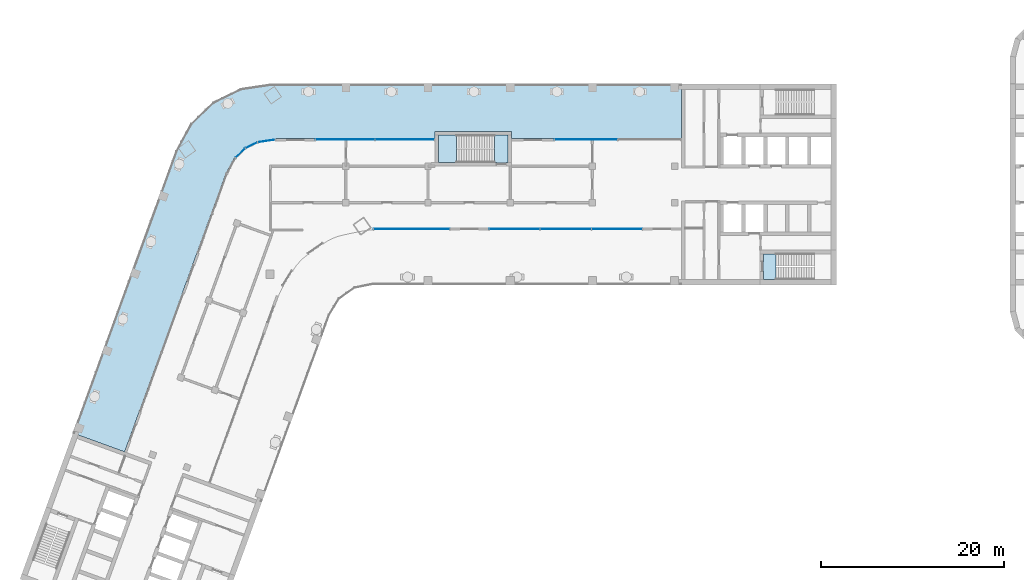
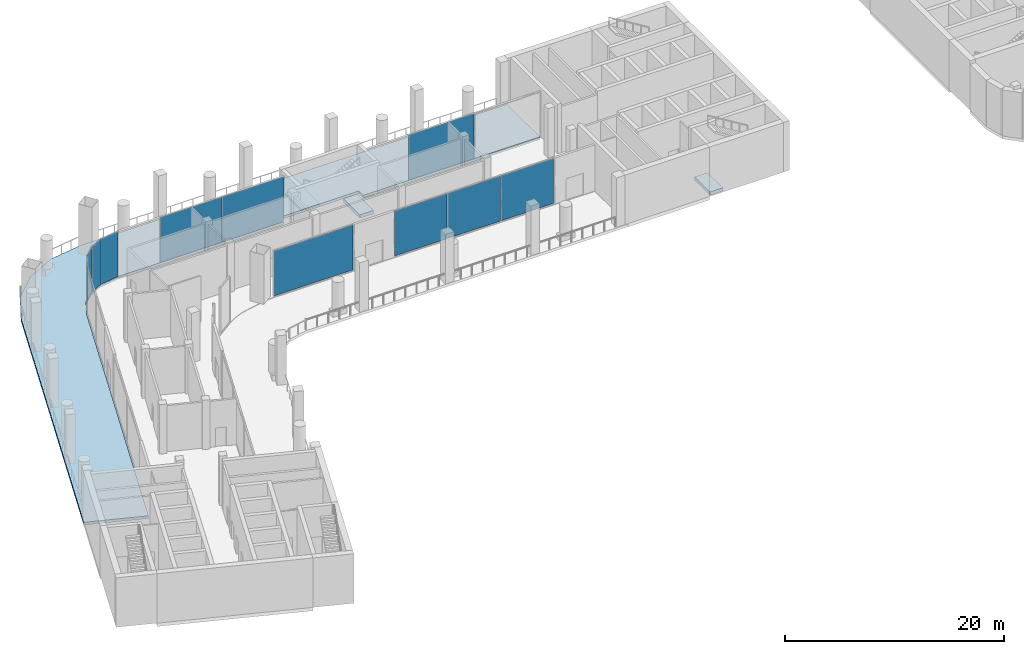
# One storey, part 7 of 19: 10 plates, 4 slabs, 8 elements without a shape of their own.
"""IFC4 building model written with IfcOpenShell, lengths in metres."""

from ifc_helpers import new_model, si_unit, direction, frame, origin, origin_2d, place, context, subcontext, project, spatial, polyline, rectangle, outline, extrude, material, layer, layer_set, type_object, element, aggregate, save


model = new_model("IFC4")

# Units and contexts
model_context = context("Model", 3, precision=1e-05, world=origin(), true_north=direction((0.0, 1.0)))
body_context = subcontext(model_context, "Body", "Model", "MODEL_VIEW")
ifc_project = project(units=[si_unit("LENGTHUNIT", "METRE"), si_unit("AREAUNIT", "SQUARE_METRE"), si_unit("VOLUMEUNIT", "CUBIC_METRE"), si_unit("PLANEANGLEUNIT", "RADIAN"), si_unit("MASSUNIT", "GRAM", prefix="KILO")], contexts=[model_context])

# Site, building, storey
site_placement = place(None, origin())
site = spatial("IfcSite", under=ifc_project, at=site_placement, CompositionType="ELEMENT")
building_placement = place(site_placement, origin())
building = spatial("IfcBuilding", under=site, at=building_placement, Name="Skarvind Civic Tower", CompositionType="ELEMENT")
storey_placement = place(building_placement, frame((0.0, 0.0, 75.5)))
storey = spatial("IfcBuildingStorey", under=building, at=storey_placement, Name="L17", CompositionType="ELEMENT", Elevation=75.5)

# Curtain wall, plates
ifc_material_1 = material(Name="Aluminium alloy 6063 and laminated glass", Category="aluminium")
curtain_wall_type = type_object("IfcCurtainWallType", Name="CW3 SEPARATOR INNER GLAZING", PredefinedType="NOTDEFINED", material=ifc_material_1)
curtain_wall_1_placement = place(storey_placement, origin())
curtain_wall_1 = element("IfcCurtainWall", 1, at=curtain_wall_1_placement, inside=storey, type_object=curtain_wall_type, Name="SEPARATOR INNER GLAZING", PredefinedType="NOTDEFINED")
ifc_material_2 = material(Name="Laminated low-iron glass", Category="glass")
ifc_layer_1 = layer(ifc_material_2, 0.031982421875)
ifc_layer_set_1 = layer_set([ifc_layer_1], Name="CW3 GLASS PANEL 32")
plate_type = type_object("IfcPlateType", Name="CW3 GLASS PANEL 32", PredefinedType="CURTAIN_PANEL", material=ifc_layer_set_1)
plate_1_placement = place(storey_placement, frame((83.95068359375, 123.10009765625, 0.06005859375), z_axis=(0.0, 0.0, 1.0), x_axis=(-1.0, 0.0, 0.0)))
plate_1 = element("IfcPlate", 2, at=plate_1_placement, type_object=plate_type, Name="CW3 panel 1.1", PredefinedType="CURTAIN_PANEL", context=body_context, shape_type="SweptSolid", body=[
    extrude(rectangle(XDim=5.53759765625, YDim=0.031982421875, at=origin_2d()), origin(), (0.0, 0.0, 1.0), 5.0048828125),
])
plate_2_placement = place(storey_placement, frame((78.338134765625, 123.10009765625, 0.06005859375), z_axis=(0.0, 0.0, 1.0), x_axis=(-1.0, 0.0, 0.0)))
plate_2 = element("IfcPlate", 3, at=plate_2_placement, type_object=plate_type, Name="CW3 panel 2.1", PredefinedType="CURTAIN_PANEL", context=body_context, shape_type="SweptSolid", body=[
    extrude(rectangle(XDim=5.5673828125, YDim=0.031982421875, at=origin_2d()), origin(), (0.0, 0.0, 1.0), 5.0048828125),
])
plate_3_placement = place(storey_placement, frame((72.7255859375, 123.10009765625, 0.06005859375), z_axis=(0.0, 0.0, 1.0), x_axis=(-1.0, 0.0, 0.0)))
plate_3 = element("IfcPlate", 4, at=plate_3_placement, type_object=plate_type, Name="CW3 panel 3.1", PredefinedType="CURTAIN_PANEL", context=body_context, shape_type="SweptSolid", body=[
    extrude(rectangle(XDim=5.53759765625, YDim=0.031982421875, at=origin_2d()), origin(), (0.0, 0.0, 1.0), 5.0048828125),
])
aggregate(curtain_wall_1, [plate_1, plate_2, plate_3])

# Curtain wall, plate
curtain_wall_2_placement = place(storey_placement, origin())
curtain_wall_2 = element("IfcCurtainWall", 5, at=curtain_wall_2_placement, inside=storey, type_object=curtain_wall_type, Name="SEPARATOR INNER GLAZING", PredefinedType="NOTDEFINED")
plate_4_placement = place(storey_placement, frame((61.455810546875, 123.10009765625, 0.06005859375), z_axis=(0.0, 0.0, 1.0), x_axis=(-1.0, 0.0, 0.0)))
plate_4 = element("IfcPlate", 6, at=plate_4_placement, type_object=plate_type, Name="CW3 panel 1.1", PredefinedType="CURTAIN_PANEL", context=body_context, shape_type="SweptSolid", body=[
    extrude(rectangle(XDim=8.3212890625, YDim=0.031982421875, at=origin_2d()), origin(), (0.0, 0.0, 1.0), 5.0048828125),
])
aggregate(curtain_wall_2, [plate_4])

curtain_wall_3_placement = place(storey_placement, origin())
curtain_wall_3 = element("IfcCurtainWall", 7, at=curtain_wall_3_placement, inside=storey, type_object=curtain_wall_type, Name="SEPARATOR INNER GLAZING", PredefinedType="NOTDEFINED")
plate_5_placement = place(storey_placement, frame((80.552490234375, 132.89990234375, 0.06005859375), z_axis=(0.0, 0.0, 1.0), x_axis=(1.0, 0.0, 0.0)))
plate_5 = element("IfcPlate", 8, at=plate_5_placement, type_object=plate_type, Name="CW3 panel 1.1", PredefinedType="CURTAIN_PANEL", context=body_context, shape_type="SweptSolid", body=[
    extrude(rectangle(XDim=6.885009765625, YDim=0.031982421875, at=origin_2d()), origin(), (0.0, 0.0, 1.0), 5.0048828125),
])
aggregate(curtain_wall_3, [plate_5])

# Curtain wall, plates
curtain_wall_4_placement = place(storey_placement, origin())
curtain_wall_4 = element("IfcCurtainWall", 9, at=curtain_wall_4_placement, inside=storey, type_object=curtain_wall_type, Name="SEPARATOR INNER GLAZING", PredefinedType="NOTDEFINED")
plate_6_placement = place(storey_placement, frame((54.193359375, 132.89990234375, 0.06005859375), z_axis=(0.0, 0.0, 1.0), x_axis=(1.0, 0.0, 0.0)))
plate_6 = element("IfcPlate", 10, at=plate_6_placement, type_object=plate_type, Name="CW3 panel 1.1", PredefinedType="CURTAIN_PANEL", context=body_context, shape_type="SweptSolid", body=[
    extrude(rectangle(XDim=6.457763671875, YDim=0.031982421875, at=origin_2d()), origin(), (0.0, 0.0, 1.0), 5.0048828125),
])
plate_7_placement = place(storey_placement, frame((60.711181640625, 132.89990234375, 0.06005859375), z_axis=(0.0, 0.0, 1.0), x_axis=(1.0, 0.0, 0.0)))
plate_7 = element("IfcPlate", 11, at=plate_7_placement, type_object=plate_type, Name="CW3 panel 2.1", PredefinedType="CURTAIN_PANEL", context=body_context, shape_type="SweptSolid", body=[
    extrude(rectangle(XDim=6.457763671875, YDim=0.031982421875, at=origin_2d()), origin(), (0.0, 0.0, 1.0), 5.0048828125),
])
aggregate(curtain_wall_4, [plate_6, plate_7])

# Curtain wall, plate
curtain_wall_5_placement = place(storey_placement, origin())
curtain_wall_5 = element("IfcCurtainWall", 12, at=curtain_wall_5_placement, inside=storey, type_object=curtain_wall_type, Name="SEPARATOR INNER GLAZING", PredefinedType="NOTDEFINED")
plate_8_placement = place(storey_placement, frame((45.557373046875, 132.7529296875, 0.06005859375), z_axis=(0.0, 0.0, 1.0), x_axis=(0.989123382496, 0.147088185109, 0.0)))
plate_8 = element("IfcPlate", 13, at=plate_8_placement, type_object=plate_type, Name="CW3 panel 1.1", PredefinedType="CURTAIN_PANEL", context=body_context, shape_type="SweptSolid", body=[
    extrude(rectangle(XDim=1.89501953125, YDim=0.031982421875, at=origin_2d()), origin(), (0.0, 0.0, 1.0), 5.0048828125),
])
aggregate(curtain_wall_5, [plate_8])

curtain_wall_6_placement = place(storey_placement, origin())
curtain_wall_6 = element("IfcCurtainWall", 14, at=curtain_wall_6_placement, inside=storey, type_object=curtain_wall_type, Name="SEPARATOR INNER GLAZING", PredefinedType="NOTDEFINED")
plate_9_placement = place(storey_placement, frame((43.90576171875, 132.27783203125, 0.06005859375), z_axis=(0.0, 0.0, 1.0), x_axis=(0.897630346387, 0.440749091032, 0.0)))
plate_9 = element("IfcPlate", 15, at=plate_9_placement, type_object=plate_type, Name="CW3 panel 1.1", PredefinedType="CURTAIN_PANEL", context=body_context, shape_type="SweptSolid", body=[
    extrude(rectangle(XDim=1.40478515625, YDim=0.031982421875, at=origin_2d()), origin(), (0.0, 0.0, 1.0), 5.0048828125),
])
aggregate(curtain_wall_6, [plate_9])

curtain_wall_7_placement = place(storey_placement, origin())
curtain_wall_7 = element("IfcCurtainWall", 16, at=curtain_wall_7_placement, inside=storey, type_object=curtain_wall_type, Name="SEPARATOR INNER GLAZING", PredefinedType="NOTDEFINED")
plate_10_placement = place(storey_placement, frame((42.696533203125, 131.43115234375, 0.06005859375), z_axis=(0.0, 0.0, 1.0), x_axis=(0.721194645416, 0.692732476085, 0.0)))
plate_10 = element("IfcPlate", 17, at=plate_10_placement, type_object=plate_type, Name="CW3 panel 1.1", PredefinedType="CURTAIN_PANEL", context=body_context, shape_type="SweptSolid", body=[
    extrude(rectangle(XDim=1.40478515625, YDim=0.031982421875, at=origin_2d()), origin(), (0.0, 0.0, 1.0), 5.0048828125),
])
aggregate(curtain_wall_7, [plate_10])

# Slabs
ifc_material_3 = material(Name="Concrete C40/50", Category="concrete")
ifc_layer_2 = layer(ifc_material_3, 0.375)
ifc_layer_set_2 = layer_set([ifc_layer_2], Name="Stair floor landing slab 375")
slab_type_1 = type_object("IfcSlabType", Name="Stair floor landing slab 375", PredefinedType="LANDING", material=ifc_layer_set_2)
slab_1_placement = place(storey_placement, frame((0.0, 0.0, -0.375)))
element("IfcSlab", 18, at=slab_1_placement, inside=storey, type_object=slab_type_1, Name="Stair floor landing", PredefinedType="LANDING", context=body_context, shape_type="SweptSolid", body=[
    extrude(outline(polyline([(101.3505859375, 120.400634765625), (101.3505859375, 117.599365234375), (99.99951171875, 117.599365234375), (99.99951171875, 120.400634765625), (101.3505859375, 120.400634765625)])), origin(), (0.0, 0.0, 1.0), 0.375),
])
slab_2_placement = place(storey_placement, frame((0.0, 0.0, -0.375)))
element("IfcSlab", 19, at=slab_2_placement, inside=storey, type_object=slab_type_1, Name="Stair floor landing", PredefinedType="LANDING", context=body_context, shape_type="SweptSolid", body=[
    extrude(outline(polyline([(70.54931640625, 130.3994140625), (70.54931640625, 133.400634765625), (72.00048828125, 133.400634765625), (72.00048828125, 130.3994140625), (70.54931640625, 130.3994140625)])), origin(), (0.0, 0.0, 1.0), 0.375),
])

# Stair, slab
stair_type = type_object("IfcStairType", Name="Exit stair 1450, half-turn, concrete", PredefinedType="HALF_TURN_STAIR", material=ifc_material_3)
stair_placement = place(storey_placement, origin())
stair = element("IfcStair", 20, at=stair_placement, inside=storey, type_object=stair_type, Name="Exit stair CM", PredefinedType="HALF_TURN_STAIR")
ifc_layer_3 = layer(ifc_material_3, 0.199951171875)
ifc_layer_set_3 = layer_set([ifc_layer_3], Name="Stair half landing slab")
slab_type_2 = type_object("IfcSlabType", Name="Stair half landing slab", PredefinedType="LANDING", material=ifc_layer_set_3)
slab_3_placement = place(storey_placement, frame((0.0, 0.0, 2.550048828125)))
slab_3 = element("IfcSlab", 21, at=slab_3_placement, type_object=slab_type_2, Name="ST-CM landing 1", PredefinedType="LANDING", context=body_context, shape_type="SweptSolid", body=[
    extrude(outline(polyline([(66.3505859375, 133.400634765625), (66.3505859375, 130.3994140625), (64.3994140625, 130.3994140625), (64.3994140625, 133.400634765625), (66.3505859375, 133.400634765625)])), origin(), (0.0, 0.0, 1.0), 0.199951171875),
])
aggregate(stair, [slab_3])

# Slab
ifc_material_4 = material(Name="Concrete C50", Category="concrete")
ifc_layer_4 = layer(ifc_material_4, 0.300048828125)
ifc_layer_set_4 = layer_set([ifc_layer_4], Name="Terrace slab 300 C50")
slab_type_3 = type_object("IfcSlabType", Name="Terrace slab 300 C50", PredefinedType="FLOOR", material=ifc_layer_set_4)
slab_4_placement = place(storey_placement, frame((0.0, 0.0, -0.35009765625)))
element("IfcSlab", 22, at=slab_4_placement, inside=storey, type_object=slab_type_3, Name="Terrace slab L17 1", PredefinedType="FLOOR", context=body_context, shape_type="SweptSolid", body=[
    extrude(outline(polyline([(37.24755859375, 134.6552734375), (35.630615234375, 131.672607421875), (24.376708984375, 100.75244140625), (30.014892578125, 98.7001953125), (41.1171875, 129.203369140625), (42.077392578125, 130.97509765625), (43.17724609375, 132.031494140625), (44.5458984375, 132.70361328125), (46.539306640625, 133.0), (64.0, 133.0), (64.0, 133.800048828125), (72.39990234375, 133.800048828125), (72.39990234375, 133.0), (91.0, 133.0), (91.0, 139.0), (46.095458984375, 139.0), (42.739501953125, 138.5009765625), (39.6943359375, 137.005615234375), (37.24755859375, 134.6552734375)])), origin(), (0.0, 0.0, 1.0), 0.300048828125),
])

save(model, "model.ifc")
